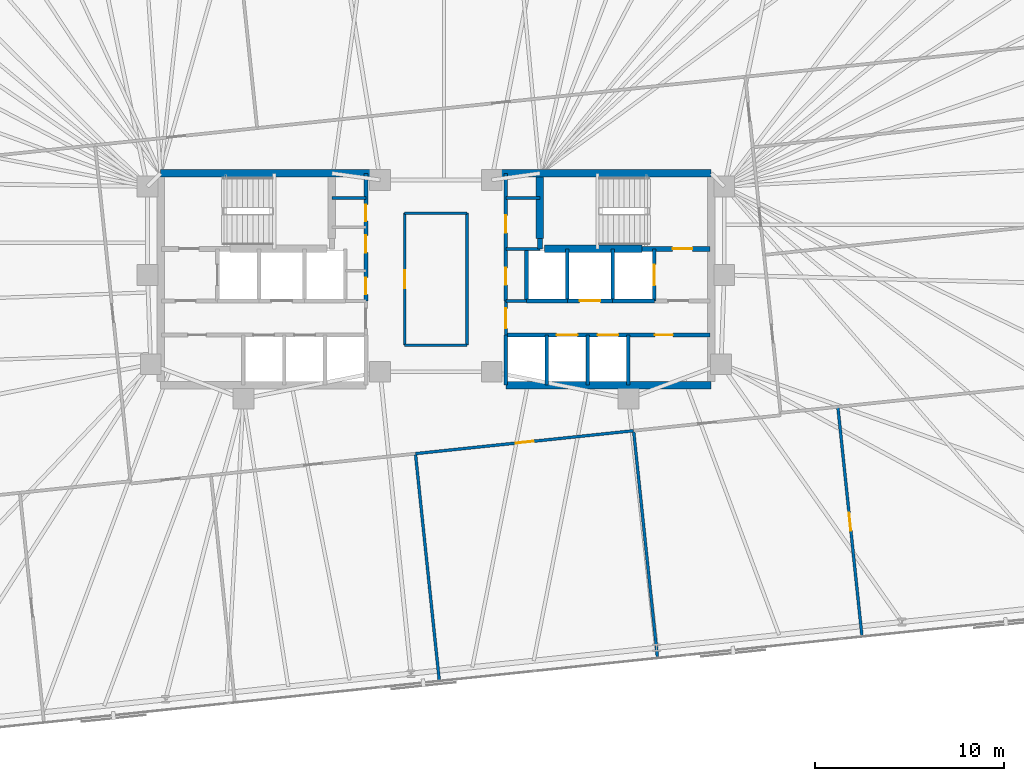
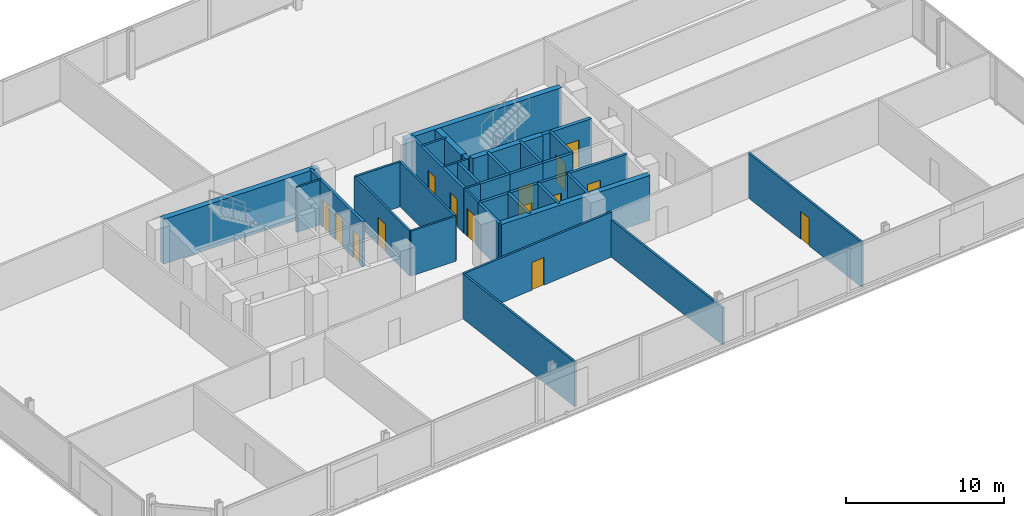
# One storey, part 15 of 18: 34 walls, 15 doors, 15 openings.
"""IFC4 building model written with IfcOpenShell, lengths in metres."""

from ifc_helpers import new_model, si_unit, direction, frame, frame_2d, origin, place, context, subcontext, project, spatial, rectangle, extrude, material, layer, layer_set, type_object, element, fill, save


model = new_model("IFC4")

# Units and contexts
model_context = context("Model", 3, precision=1e-05, world=origin(), true_north=direction((0.0, 1.0)))
body_context = subcontext(model_context, "Body", "Model", "MODEL_VIEW")
ifc_project = project(units=[si_unit("LENGTHUNIT", "METRE"), si_unit("AREAUNIT", "SQUARE_METRE"), si_unit("VOLUMEUNIT", "CUBIC_METRE"), si_unit("PLANEANGLEUNIT", "RADIAN"), si_unit("MASSUNIT", "GRAM", prefix="KILO")], contexts=[model_context])

# Site, building, storey
site_placement = place(None, origin())
site = spatial("IfcSite", under=ifc_project, at=site_placement, CompositionType="ELEMENT")
building_placement = place(site_placement, origin())
building = spatial("IfcBuilding", under=site, at=building_placement, Name="Menara Jurai Vektor", CompositionType="ELEMENT")
storey_placement = place(building_placement, frame((0.0, 0.0, 102.199951171875)))
storey = spatial("IfcBuildingStorey", under=building, at=storey_placement, Name="L25", CompositionType="ELEMENT", Elevation=102.199951171875)

# Wall, opening, door
ifc_material_1 = material(Name="Concrete C40/50", Category="concrete")
ifc_layer_1 = layer(ifc_material_1, 0.25)
ifc_layer_set_1 = layer_set([ifc_layer_1], Name="Concrete C40/50")
wall_type_1 = type_object("IfcWallType", Name="INT-WALL-CORE-250", PredefinedType="STANDARD", material=ifc_layer_set_1)
wall_1_placement = place(storey_placement, frame((10.89990234375, 1.60009765625, 0.0), z_axis=(0.0, 0.0, 1.0), x_axis=(1.0, 0.0, 0.0)))
wall_1 = element("IfcWall", 1, at=wall_1_placement, inside=storey, type_object=wall_type_1, Name="Interior Wall IW-250 L25", PredefinedType="STANDARD", context=body_context, shape_type="SweptSolid", body=[
    extrude(rectangle(XDim=3.60009765625, YDim=0.25, at=frame_2d((1.800048828125, 0.0))), origin(), (0.0, 0.0, 1.0), 3.47509765625),
])
opening_1_placement = place(wall_1_placement, frame((1.6201171875, 0.0, 0.0)))
opening_1 = element("IfcOpeningElement", 2, at=opening_1_placement, cuts=wall_1, Name="Opening D-L25-ST2", PredefinedType="OPENING", context=body_context, shape_type="SweptSolid", body=[
    extrude(rectangle(XDim=1.050048828125, YDim=2.14990234375, at=frame_2d((0.52490234375, 1.074951171875))), frame((0.0, 0.135009765625, 0.0), z_axis=(0.0, -1.0, 0.0), x_axis=(1.0, 0.0, 0.0)), (0.0, 0.0, 1.0), 0.27001953125),
])
ifc_material_2 = material(Name="Fire-Rated Steel Door", Category="steel")
door_type_1 = type_object("IfcDoorType", Name="DR-STAIR-1050", OperationType="NOTDEFINED", PredefinedType="DOOR", material=ifc_material_2)
door_1_placement = place(opening_1_placement, origin())
door_1 = element("IfcDoor", 3, at=door_1_placement, inside=storey, type_object=door_type_1, Name="Exit Stair ST2 Door L25", OperationType="SINGLE_SWING_LEFT", OverallHeight=2.14990234375, OverallWidth=1.050048828125, PredefinedType="DOOR", context=body_context, shape_type="SweptSolid", body=[
    extrude(rectangle(XDim=1.050048828125, YDim=2.14990234375, at=frame_2d((0.52490234375, 1.074951171875))), frame((0.0, 0.02490234375, 0.0), z_axis=(0.0, -1.0, 0.0), x_axis=(1.0, 0.0, 0.0)), (0.0, 0.0, 1.0), 0.050048828125),
])
fill(opening_1, door_1)

# Wall
wall_2_placement = place(storey_placement, frame((5.5, 1.60009765625, 0.0), z_axis=(0.0, 0.0, 1.0), x_axis=(0.0, 1.0, 0.0)))
element("IfcWall", 4, at=wall_2_placement, inside=storey, type_object=wall_type_1, Name="Interior Wall IW-250 L25", PredefinedType="STANDARD", context=body_context, shape_type="SweptSolid", body=[
    extrude(rectangle(XDim=0.5498046875, YDim=0.25, at=frame_2d((0.27490234375, 0.0))), origin(), (0.0, 0.0, 1.0), 3.47509765625),
])

# Wall, opening, door
wall_3_placement = place(storey_placement, frame((11.550048828125, -1.14990234375, 0.0), z_axis=(0.0, 0.0, 1.0), x_axis=(0.0, 1.0, 0.0)))
wall_3 = element("IfcWall", 5, at=wall_3_placement, inside=storey, type_object=wall_type_1, Name="Interior Wall IW-250 L25", PredefinedType="STANDARD", context=body_context, shape_type="SweptSolid", body=[
    extrude(rectangle(XDim=2.75, YDim=0.199951171875, at=frame_2d((1.375, 0.0))), origin(), (0.0, 0.0, 1.0), 3.47509765625),
])
opening_2_placement = place(wall_3_placement, frame((0.824951171875, 0.0, 0.0)))
opening_2 = element("IfcOpeningElement", 6, at=opening_2_placement, cuts=wall_3, Name="Opening LD-L25-FL2", PredefinedType="OPENING", context=body_context, shape_type="SweptSolid", body=[
    extrude(rectangle(XDim=1.10009765625, YDim=2.14990234375, at=frame_2d((0.550048828125, 1.074951171875))), frame((0.0, 0.10986328125, 0.0), z_axis=(0.0, -1.0, 0.0), x_axis=(1.0, 0.0, 0.0)), (0.0, 0.0, 1.0), 0.219970703125),
])
ifc_material_3 = material(Name="Stainless Steel Sliding Lift Landing Door", Category="steel")
door_type_2 = type_object("IfcDoorType", Name="DR-LIFT-FIRE-1100", OperationType="NOTDEFINED", PredefinedType="DOOR", material=ifc_material_3)
door_2_placement = place(opening_2_placement, origin())
door_2 = element("IfcDoor", 7, at=door_2_placement, inside=storey, type_object=door_type_2, Name="Lift Landing Door FL2 L25", OperationType="SLIDING_TO_RIGHT", OverallHeight=2.14990234375, OverallWidth=1.10009765625, PredefinedType="DOOR", context=body_context, shape_type="SweptSolid", body=[
    extrude(rectangle(XDim=1.10009765625, YDim=2.14990234375, at=frame_2d((0.550048828125, 1.074951171875))), frame((0.0, 0.02490234375, 0.0), z_axis=(0.0, -1.0, 0.0), x_axis=(1.0, 0.0, 0.0)), (0.0, 0.0, 1.0), 0.050048828125),
])
fill(opening_2, door_2)

# Walls
wall_4_placement = place(storey_placement, frame((9.35009765625, -1.14990234375, 0.0), z_axis=(0.0, 0.0, 1.0), x_axis=(0.0, 1.0, 0.0)))
element("IfcWall", 8, at=wall_4_placement, inside=storey, type_object=wall_type_1, Name="Interior Wall IW-250 L25", PredefinedType="STANDARD", context=body_context, shape_type="SweptSolid", body=[
    extrude(rectangle(XDim=2.75, YDim=0.199951171875, at=frame_2d((1.375, 0.0))), origin(), (0.0, 0.0, 1.0), 3.47509765625),
])
wall_5_placement = place(storey_placement, frame((9.35009765625, -1.14990234375, 0.0), z_axis=(0.0, 0.0, 1.0), x_axis=(1.0, 0.0, 0.0)))
element("IfcWall", 9, at=wall_5_placement, inside=storey, type_object=wall_type_1, Name="Interior Wall IW-250 L25", PredefinedType="STANDARD", context=body_context, shape_type="SweptSolid", body=[
    extrude(rectangle(XDim=2.199951171875, YDim=0.199951171875, at=frame_2d((1.10009765625, 0.0))), origin(), (0.0, 0.0, 1.0), 3.47509765625),
])

# Wall, opening, door
ifc_material_4 = material(Name="Gypsum Fireboard Partition", Category="gypsum")
ifc_layer_2 = layer(ifc_material_4, 0.14990234375)
ifc_layer_set_2 = layer_set([ifc_layer_2], Name="Gypsum Fireboard Partition")
wall_type_2 = type_object("IfcWallType", Name="INT-WALL-CORR-150", PredefinedType="PARTITIONING", material=ifc_layer_set_2)
wall_6_placement = place(storey_placement, frame((3.699951171875, -2.949951171875, 0.0), z_axis=(0.0, 0.0, 1.0), x_axis=(0.0, 1.0, 0.0)))
wall_6 = element("IfcWall", 10, at=wall_6_placement, inside=storey, type_object=wall_type_2, Name="Interior Wall IW-150 L25", PredefinedType="PARTITIONING", context=body_context, shape_type="SweptSolid", body=[
    extrude(rectangle(XDim=1.800048828125, YDim=0.14990234375, at=frame_2d((0.89990234375, 0.0))), origin(), (0.0, 0.0, 1.0), 3.47509765625),
])
opening_3_placement = place(wall_6_placement, frame((0.35009765625, 0.0, 0.0)))
opening_3 = element("IfcOpeningElement", 11, at=opening_3_placement, cuts=wall_6, Name="Opening D-L25-LLE", PredefinedType="OPENING", context=body_context, shape_type="SweptSolid", body=[
    extrude(rectangle(XDim=1.050048828125, YDim=2.179931640625, at=frame_2d((0.52490234375, 1.08984375))), frame((0.0, 0.0849609375, 0.0), z_axis=(0.0, -1.0, 0.0), x_axis=(1.0, 0.0, 0.0)), (0.0, 0.0, 1.0), 0.169921875),
])
ifc_material_5 = material(Name="Fire-Rated Timber Door", Category="wood")
door_type_3 = type_object("IfcDoorType", Name="DR-LOBBY-1050", OperationType="NOTDEFINED", PredefinedType="DOOR", material=ifc_material_5)
door_3_placement = place(opening_3_placement, frame((1.050048828125, 0.0, 0.0), z_axis=(0.0, 0.0, 1.0), x_axis=(-1.0, 0.0, 0.0)))
door_3 = element("IfcDoor", 12, at=door_3_placement, inside=storey, type_object=door_type_3, Name="Lift Lobby Corridor Door E L25", OperationType="SINGLE_SWING_RIGHT", OverallHeight=2.179931640625, OverallWidth=1.050048828125, PredefinedType="DOOR", context=body_context, shape_type="SweptSolid", body=[
    extrude(rectangle(XDim=1.050048828125, YDim=2.179931640625, at=frame_2d((0.52490234375, 1.08984375))), frame((0.0, 0.02490234375, 0.0), z_axis=(0.0, -1.0, 0.0), x_axis=(1.0, 0.0, 0.0)), (0.0, 0.0, 1.0), 0.050048828125),
])
fill(opening_3, door_3)

# Walls
wall_7_placement = place(storey_placement, frame((3.699951171875, -1.14990234375, 0.0), z_axis=(0.0, 0.0, 1.0), x_axis=(1.0, 0.0, 0.0)))
element("IfcWall", 13, at=wall_7_placement, inside=storey, type_object=wall_type_2, Name="Interior Wall IW-150 L25", PredefinedType="PARTITIONING", context=body_context, shape_type="SweptSolid", body=[
    extrude(rectangle(XDim=1.090087890625, YDim=0.14990234375, at=frame_2d((0.544921875, 0.0))), origin(), (0.0, 0.0, 1.0), 3.47509765625),
])
for number, where, z_axis, x_axis, name in (
    (14, (-5.5, 4.300048828125, 0.0), (0.0, 0.0, 1.0), (1.0, 0.0, 0.0), "Interior Wall IW-150 L25"),
    (15, (3.699951171875, 4.300048828125, 0.0), (0.0, 0.0, 1.0), (1.0, 0.0, 0.0), "Interior Wall IW-150 L25"),
    (16, (3.699951171875, 1.60009765625, 0.0), (0.0, 0.0, 1.0), (1.0, 0.0, 0.0), "Interior Wall IW-150 L25"),
):
    element("IfcWall", number, at=place(storey_placement, frame(where, z_axis=z_axis, x_axis=x_axis)), inside=storey, type_object=wall_type_2, Name=name, PredefinedType="PARTITIONING", context=body_context, shape_type="SweptSolid", body=[
        extrude(rectangle(XDim=1.800048828125, YDim=0.14990234375, at=frame_2d((0.89990234375, 0.0))), origin(), (0.0, 0.0, 1.0), 3.47509765625),
    ])

# Wall, opening, door
wall_8_placement = place(storey_placement, frame((-1.649658203125, -3.490478515625, 0.0), z_axis=(0.0, 0.0, 1.0), x_axis=(-0.000104928124, 0.999999994495, 0.0)))
wall_8 = element("IfcWall", 17, at=wall_8_placement, inside=storey, type_object=wall_type_2, Name="Interior Wall IW-150 L25", PredefinedType="PARTITIONING", context=body_context, shape_type="SweptSolid", body=[
    extrude(rectangle(XDim=6.980224609375, YDim=0.14990234375, at=frame_2d((3.490234375, 0.0))), origin(), (0.0, 0.0, 1.0), 3.47509765625),
])
opening_4_placement = place(wall_8_placement, frame((3.01513671875, 0.0, 0.0)))
opening_4 = element("IfcOpeningElement", 18, at=opening_4_placement, cuts=wall_8, Name="Opening D25-08", PredefinedType="OPENING", context=body_context, shape_type="SweptSolid", body=[
    extrude(rectangle(XDim=0.949951171875, YDim=2.14990234375, at=frame_2d((0.47509765625, 1.074951171875))), frame((0.0, 0.0849609375, 0.0), z_axis=(0.0, -1.0, 0.0), x_axis=(1.0, 0.0, 0.0)), (0.0, 0.0, 1.0), 0.169921875),
])
ifc_material_6 = material(Name="Solid Core Timber Fire Door", Category="wood")
door_type_4 = type_object("IfcDoorType", Name="DR-ENTRY-950", OperationType="NOTDEFINED", PredefinedType="DOOR", material=ifc_material_6)
door_4_placement = place(opening_4_placement, origin())
door_4 = element("IfcDoor", 19, at=door_4_placement, inside=storey, type_object=door_type_4, Name="Interior Door D25-08", OperationType="SINGLE_SWING_LEFT", OverallHeight=2.14990234375, OverallWidth=0.949951171875, PredefinedType="DOOR", context=body_context, shape_type="SweptSolid", body=[
    extrude(rectangle(XDim=0.949951171875, YDim=2.14990234375, at=frame_2d((0.47509765625, 1.074951171875))), frame((0.0, 0.02490234375, 0.0), z_axis=(0.0, -1.0, 0.0), x_axis=(1.0, 0.0, 0.0)), (0.0, 0.0, 1.0), 0.050048828125),
])
fill(opening_4, door_4)

# Walls
wall_9_placement = place(storey_placement, frame((-1.649658203125, -3.490478515625, 0.0), z_axis=(0.0, 0.0, 1.0), x_axis=(1.0, 0.0, 0.0)))
element("IfcWall", 20, at=wall_9_placement, inside=storey, type_object=wall_type_2, Name="Interior Wall IW-150 L25", PredefinedType="PARTITIONING", context=body_context, shape_type="SweptSolid", body=[
    extrude(rectangle(XDim=3.300048828125, YDim=0.14990234375, at=frame_2d((1.64990234375, 0.0))), origin(), (0.0, 0.0, 1.0), 3.47509765625),
])
wall_10_placement = place(storey_placement, frame((-1.650390625, 3.48974609375, 0.0), z_axis=(0.0, 0.0, 1.0), x_axis=(1.0, 0.0, 0.0)))
element("IfcWall", 21, at=wall_10_placement, inside=storey, type_object=wall_type_2, Name="Interior Wall IW-150 L25", PredefinedType="PARTITIONING", context=body_context, shape_type="SweptSolid", body=[
    extrude(rectangle(XDim=3.30029296875, YDim=0.14990234375, at=frame_2d((1.650146484375, 0.0))), origin(), (0.0, 0.0, 1.0), 3.47509765625),
])
wall_11_placement = place(storey_placement, frame((1.650390625, -3.490478515625, 0.0), z_axis=(0.0, 0.0, 1.0), x_axis=(-6.9952083e-05, 0.999999997553, 0.0)))
element("IfcWall", 22, at=wall_11_placement, inside=storey, type_object=wall_type_2, Name="Interior Wall IW-150 L25", PredefinedType="PARTITIONING", context=body_context, shape_type="SweptSolid", body=[
    extrude(rectangle(XDim=6.980224609375, YDim=0.14990234375, at=frame_2d((3.490234375, 0.0))), origin(), (0.0, 0.0, 1.0), 3.47509765625),
])

# Wall, opening, door
wall_12_placement = place(storey_placement, frame((-1.0810546875, -9.226318359375, 0.0), z_axis=(0.0, 0.0, 1.0), x_axis=(0.994523198252, 0.104516066418, 0.0)))
wall_12 = element("IfcWall", 23, at=wall_12_placement, inside=storey, type_object=wall_type_2, Name="Interior Wall IW-150 L25", PredefinedType="PARTITIONING", context=body_context, shape_type="SweptSolid", body=[
    extrude(rectangle(XDim=11.60009765625, YDim=0.14990234375, at=frame_2d((5.800048828125, 0.0))), origin(), (0.0, 0.0, 1.0), 3.47509765625),
])
opening_5_placement = place(wall_12_placement, frame((5.324951171875, 0.0, 0.0)))
opening_5 = element("IfcOpeningElement", 24, at=opening_5_placement, cuts=wall_12, Name="Opening D25-13", PredefinedType="OPENING", context=body_context, shape_type="SweptSolid", body=[
    extrude(rectangle(XDim=0.949951171875, YDim=2.14990234375, at=frame_2d((0.47509765625, 1.074951171875))), frame((0.0, 0.0849609375, 0.0), z_axis=(0.0, -1.0, 0.0), x_axis=(1.0, 0.0, 0.0)), (0.0, 0.0, 1.0), 0.169921875),
])
door_5_placement = place(opening_5_placement, origin())
door_5 = element("IfcDoor", 25, at=door_5_placement, inside=storey, type_object=door_type_4, Name="Interior Door D25-13", OperationType="SINGLE_SWING_RIGHT", OverallHeight=2.14990234375, OverallWidth=0.949951171875, PredefinedType="DOOR", context=body_context, shape_type="SweptSolid", body=[
    extrude(rectangle(XDim=0.949951171875, YDim=2.14990234375, at=frame_2d((0.47509765625, 1.074951171875))), frame((0.0, 0.02490234375, 0.0), z_axis=(0.0, -1.0, 0.0), x_axis=(1.0, 0.0, 0.0)), (0.0, 0.0, 1.0), 0.050048828125),
])
fill(opening_5, door_5)

# Wall
wall_13_placement = place(storey_placement, frame((0.18310546875, -21.253173828125, 0.0), z_axis=(0.0, 0.0, 1.0), x_axis=(-0.104535555083, 0.994521149963, 0.0)))
element("IfcWall", 26, at=wall_13_placement, inside=storey, type_object=wall_type_2, Name="Interior Wall IW-150 L25", PredefinedType="PARTITIONING", context=body_context, shape_type="SweptSolid", body=[
    extrude(rectangle(XDim=12.093017578125, YDim=0.14990234375, at=frame_2d((6.04638671875, 0.0))), origin(), (0.0, 0.0, 1.0), 3.47509765625),
])

# Wall, opening, door
wall_14_placement = place(storey_placement, frame((22.534912109375, -18.90380859375, 0.0), z_axis=(0.0, 0.0, 1.0), x_axis=(-0.104520477826, 0.99452273464, 0.0)))
wall_14 = element("IfcWall", 27, at=wall_14_placement, inside=storey, type_object=wall_type_2, Name="Interior Wall IW-150 L25", PredefinedType="PARTITIONING", context=body_context, shape_type="SweptSolid", body=[
    extrude(rectangle(XDim=12.220947265625, YDim=0.14990234375, at=frame_2d((6.1103515625, 0.0))), origin(), (0.0, 0.0, 1.0), 3.47509765625),
])
opening_6_placement = place(wall_14_placement, frame((5.635498046875, 0.0, 0.0)))
opening_6 = element("IfcOpeningElement", 28, at=opening_6_placement, cuts=wall_14, Name="Opening D25-20", PredefinedType="OPENING", context=body_context, shape_type="SweptSolid", body=[
    extrude(rectangle(XDim=0.949951171875, YDim=2.14990234375, at=frame_2d((0.47509765625, 1.074951171875))), frame((0.0, 0.0849609375, 0.0), z_axis=(0.0, -1.0, 0.0), x_axis=(1.0, 0.0, 0.0)), (0.0, 0.0, 1.0), 0.169921875),
])
door_6_placement = place(opening_6_placement, origin())
door_6 = element("IfcDoor", 29, at=door_6_placement, inside=storey, type_object=door_type_4, Name="Interior Door D25-20", OperationType="SINGLE_SWING_LEFT", OverallHeight=2.14990234375, OverallWidth=0.949951171875, PredefinedType="DOOR", context=body_context, shape_type="SweptSolid", body=[
    extrude(rectangle(XDim=0.949951171875, YDim=2.14990234375, at=frame_2d((0.47509765625, 1.074951171875))), frame((0.0, 0.02490234375, 0.0), z_axis=(0.0, -1.0, 0.0), x_axis=(1.0, 0.0, 0.0)), (0.0, 0.0, 1.0), 0.050048828125),
])
fill(opening_6, door_6)

# Wall
ifc_layer_3 = layer(ifc_material_4, 0.14990234375)
ifc_layer_set_3 = layer_set([ifc_layer_3], Name="Gypsum Fireboard Partition")
wall_type_3 = type_object("IfcWallType", Name="INT-WALL-CORR-150-H2", PredefinedType="PARTITIONING", material=ifc_layer_set_3)
wall_15_placement = place(storey_placement, frame((11.719482421875, -20.04052734375, 0.0), z_axis=(0.0, 0.0, 1.0), x_axis=(-0.104517685722, 0.994523028075, 0.0)))
element("IfcWall", 30, at=wall_15_placement, inside=storey, type_object=wall_type_3, Name="Interior Wall IW-150 L25", PredefinedType="PARTITIONING", context=body_context, shape_type="SweptSolid", body=[
    extrude(rectangle(XDim=12.0927734375, YDim=0.14990234375, at=frame_2d((6.04638671875, 0.0))), origin(), (0.0, 0.0, 1.0), 2.875),
])

# Wall, openings, doors
ifc_layer_4 = layer(ifc_material_1, 0.199951171875)
ifc_layer_set_4 = layer_set([ifc_layer_4], Name="Concrete C40/50")
wall_type_4 = type_object("IfcWallType", Name="INT-WALL-SHAFT-200", PredefinedType="STANDARD", material=ifc_layer_set_4)
wall_16_placement = place(storey_placement, frame((-3.699951171875, -1.14990234375, 0.0), z_axis=(0.0, 0.0, 1.0), x_axis=(0.0, 1.0, 0.0)))
wall_16 = element("IfcWall", 31, at=wall_16_placement, inside=storey, type_object=wall_type_4, Name="Interior Wall IW-200 L25", PredefinedType="STANDARD", context=body_context, shape_type="SweptSolid", body=[
    extrude(rectangle(XDim=6.75, YDim=0.199951171875, at=frame_2d((3.375, 0.0))), origin(), (0.0, 0.0, 1.0), 3.47509765625),
])
opening_7_placement = place(wall_16_placement, frame((0.35009765625, 0.0, 0.0)))
opening_7 = element("IfcOpeningElement", 32, at=opening_7_placement, cuts=wall_16, Name="Opening D25-02", PredefinedType="OPENING", context=body_context, shape_type="SweptSolid", body=[
    extrude(rectangle(XDim=0.8798828125, YDim=2.14990234375, at=frame_2d((0.43994140625, 1.074951171875))), frame((0.0, 0.10986328125, 0.0), z_axis=(0.0, -1.0, 0.0), x_axis=(1.0, 0.0, 0.0)), (0.0, 0.0, 1.0), 0.219970703125),
])
opening_8_placement = place(wall_16_placement, frame((2.550048828125, 0.0, 0.0)))
opening_8 = element("IfcOpeningElement", 33, at=opening_8_placement, cuts=wall_16, Name="Opening D25-03", PredefinedType="OPENING", context=body_context, shape_type="SweptSolid", body=[
    extrude(rectangle(XDim=0.919921875, YDim=2.14990234375, at=frame_2d((0.4599609375, 1.074951171875))), frame((0.0, 0.10986328125, 0.0), z_axis=(0.0, -1.0, 0.0), x_axis=(1.0, 0.0, 0.0)), (0.0, 0.0, 1.0), 0.219970703125),
])
opening_9_placement = place(wall_16_placement, frame((4.219970703125, 0.0, 0.0)))
opening_9 = element("IfcOpeningElement", 34, at=opening_9_placement, cuts=wall_16, Name="Opening D25-04", PredefinedType="OPENING", context=body_context, shape_type="SweptSolid", body=[
    extrude(rectangle(XDim=0.8798828125, YDim=2.14990234375, at=frame_2d((0.43994140625, 1.074951171875))), frame((0.0, 0.10986328125, 0.0), z_axis=(0.0, -1.0, 0.0), x_axis=(1.0, 0.0, 0.0)), (0.0, 0.0, 1.0), 0.219970703125),
])
door_7_placement = place(opening_7_placement, origin())
door_7 = element("IfcDoor", 35, at=door_7_placement, inside=storey, type_object=door_type_4, Name="Interior Door D25-02", OperationType="SINGLE_SWING_LEFT", OverallHeight=2.14990234375, OverallWidth=0.8798828125, PredefinedType="DOOR", context=body_context, shape_type="SweptSolid", body=[
    extrude(rectangle(XDim=0.8798828125, YDim=2.14990234375, at=frame_2d((0.43994140625, 1.074951171875))), frame((0.0, 0.02490234375, 0.0), z_axis=(0.0, -1.0, 0.0), x_axis=(1.0, 0.0, 0.0)), (0.0, 0.0, 1.0), 0.050048828125),
])
fill(opening_7, door_7)
door_8_placement = place(opening_8_placement, origin())
door_8 = element("IfcDoor", 36, at=door_8_placement, inside=storey, type_object=door_type_4, Name="Interior Door D25-03", OperationType="SINGLE_SWING_LEFT", OverallHeight=2.14990234375, OverallWidth=0.919921875, PredefinedType="DOOR", context=body_context, shape_type="SweptSolid", body=[
    extrude(rectangle(XDim=0.919921875, YDim=2.14990234375, at=frame_2d((0.4599609375, 1.074951171875))), frame((0.0, 0.02490234375, 0.0), z_axis=(0.0, -1.0, 0.0), x_axis=(1.0, 0.0, 0.0)), (0.0, 0.0, 1.0), 0.050048828125),
])
fill(opening_8, door_8)
door_9_placement = place(opening_9_placement, origin())
door_9 = element("IfcDoor", 37, at=door_9_placement, inside=storey, type_object=door_type_4, Name="Interior Door D25-04", OperationType="SINGLE_SWING_LEFT", OverallHeight=2.14990234375, OverallWidth=0.8798828125, PredefinedType="DOOR", context=body_context, shape_type="SweptSolid", body=[
    extrude(rectangle(XDim=0.8798828125, YDim=2.14990234375, at=frame_2d((0.43994140625, 1.074951171875))), frame((0.0, 0.02490234375, 0.0), z_axis=(0.0, -1.0, 0.0), x_axis=(1.0, 0.0, 0.0)), (0.0, 0.0, 1.0), 0.050048828125),
])
fill(opening_9, door_9)

wall_17_placement = place(storey_placement, frame((3.699951171875, -1.14990234375, 0.0), z_axis=(0.0, 0.0, 1.0), x_axis=(0.0, 1.0, 0.0)))
wall_17 = element("IfcWall", 38, at=wall_17_placement, inside=storey, type_object=wall_type_4, Name="Interior Wall IW-200 L25", PredefinedType="STANDARD", context=body_context, shape_type="SweptSolid", body=[
    extrude(rectangle(XDim=6.75, YDim=0.199951171875, at=frame_2d((3.375, 0.0))), origin(), (0.0, 0.0, 1.0), 3.47509765625),
])
opening_10_placement = place(wall_17_placement, frame((3.60009765625, 0.0, 0.0)))
opening_10 = element("IfcOpeningElement", 39, at=opening_10_placement, cuts=wall_17, Name="Opening D25-06", PredefinedType="OPENING", context=body_context, shape_type="SweptSolid", body=[
    extrude(rectangle(XDim=0.919921875, YDim=2.14990234375, at=frame_2d((0.4599609375, 1.074951171875))), frame((0.0, 0.10986328125, 0.0), z_axis=(0.0, -1.0, 0.0), x_axis=(1.0, 0.0, 0.0)), (0.0, 0.0, 1.0), 0.219970703125),
])
opening_11_placement = place(wall_17_placement, frame((0.85009765625, 0.0, 0.0)))
opening_11 = element("IfcOpeningElement", 40, at=opening_11_placement, cuts=wall_17, Name="Opening D25-07", PredefinedType="OPENING", context=body_context, shape_type="SweptSolid", body=[
    extrude(rectangle(XDim=0.89990234375, YDim=2.14990234375, at=frame_2d((0.449951171875, 1.074951171875))), frame((0.0, 0.10986328125, 0.0), z_axis=(0.0, -1.0, 0.0), x_axis=(1.0, 0.0, 0.0)), (0.0, 0.0, 1.0), 0.219970703125),
])
door_10_placement = place(opening_10_placement, origin())
door_10 = element("IfcDoor", 41, at=door_10_placement, inside=storey, type_object=door_type_4, Name="Interior Door D25-06", OperationType="SINGLE_SWING_RIGHT", OverallHeight=2.14990234375, OverallWidth=0.919921875, PredefinedType="DOOR", context=body_context, shape_type="SweptSolid", body=[
    extrude(rectangle(XDim=0.919921875, YDim=2.14990234375, at=frame_2d((0.4599609375, 1.074951171875))), frame((0.0, 0.02490234375, 0.0), z_axis=(0.0, -1.0, 0.0), x_axis=(1.0, 0.0, 0.0)), (0.0, 0.0, 1.0), 0.050048828125),
])
fill(opening_10, door_10)
door_11_placement = place(opening_11_placement, origin())
door_11 = element("IfcDoor", 42, at=door_11_placement, inside=storey, type_object=door_type_4, Name="Interior Door D25-07", OperationType="SINGLE_SWING_RIGHT", OverallHeight=2.14990234375, OverallWidth=0.89990234375, PredefinedType="DOOR", context=body_context, shape_type="SweptSolid", body=[
    extrude(rectangle(XDim=0.89990234375, YDim=2.14990234375, at=frame_2d((0.449951171875, 1.074951171875))), frame((0.0, 0.02490234375, 0.0), z_axis=(0.0, -1.0, 0.0), x_axis=(1.0, 0.0, 0.0)), (0.0, 0.0, 1.0), 0.050048828125),
])
fill(opening_11, door_11)

# Walls
wall_18_placement = place(storey_placement, frame((3.699951171875, -5.60009765625, 0.0), z_axis=(0.0, 0.0, 1.0), x_axis=(0.0, 1.0, 0.0)))
element("IfcWall", 43, at=wall_18_placement, inside=storey, type_object=wall_type_4, Name="Interior Wall IW-200 L25", PredefinedType="STANDARD", context=body_context, shape_type="SweptSolid", body=[
    extrude(rectangle(XDim=2.650146484375, YDim=0.199951171875, at=frame_2d((1.3251953125, 0.0))), origin(), (0.0, 0.0, 1.0), 3.47509765625),
])
wall_19_placement = place(storey_placement, frame((6.949951171875, -1.14990234375, 0.0), z_axis=(0.0, 0.0, 1.0), x_axis=(0.0, 1.0, 0.0)))
element("IfcWall", 44, at=wall_19_placement, inside=storey, type_object=wall_type_4, Name="Interior Wall IW-200 L25", PredefinedType="STANDARD", context=body_context, shape_type="SweptSolid", body=[
    extrude(rectangle(XDim=2.75, YDim=0.199951171875, at=frame_2d((1.375, 0.0))), origin(), (0.0, 0.0, 1.0), 3.47509765625),
])

# Wall, opening, door
wall_20_placement = place(storey_placement, frame((6.949951171875, -1.14990234375, 0.0), z_axis=(0.0, 0.0, 1.0), x_axis=(1.0, 0.0, 0.0)))
wall_20 = element("IfcWall", 45, at=wall_20_placement, inside=storey, type_object=wall_type_4, Name="Interior Wall IW-200 L25", PredefinedType="STANDARD", context=body_context, shape_type="SweptSolid", body=[
    extrude(rectangle(XDim=2.400146484375, YDim=0.199951171875, at=frame_2d((1.2001953125, 0.0))), origin(), (0.0, 0.0, 1.0), 3.47509765625),
])
opening_12_placement = place(wall_20_placement, frame((0.64990234375, 0.0, 0.0)))
opening_12 = element("IfcOpeningElement", 46, at=opening_12_placement, cuts=wall_20, Name="Opening LD-L25-SVL2", PredefinedType="OPENING", context=body_context, shape_type="SweptSolid", body=[
    extrude(rectangle(XDim=1.10009765625, YDim=2.14990234375, at=frame_2d((0.550048828125, 1.074951171875))), frame((0.0, 0.10986328125, 0.0), z_axis=(0.0, -1.0, 0.0), x_axis=(1.0, 0.0, 0.0)), (0.0, 0.0, 1.0), 0.219970703125),
])
ifc_material_7 = material(Name="Anodised Stainless Sliding Lift Landing Door", Category="steel")
door_type_5 = type_object("IfcDoorType", Name="DR-LIFT-PASS-1100", OperationType="NOTDEFINED", PredefinedType="DOOR", material=ifc_material_7)
door_12_placement = place(opening_12_placement, origin())
door_12 = element("IfcDoor", 47, at=door_12_placement, inside=storey, type_object=door_type_5, Name="Lift Landing Door SVL2 L25", OperationType="SLIDING_TO_RIGHT", OverallHeight=2.14990234375, OverallWidth=1.10009765625, PredefinedType="DOOR", context=body_context, shape_type="SweptSolid", body=[
    extrude(rectangle(XDim=1.10009765625, YDim=2.14990234375, at=frame_2d((0.550048828125, 1.074951171875))), frame((0.0, 0.02490234375, 0.0), z_axis=(0.0, -1.0, 0.0), x_axis=(1.0, 0.0, 0.0)), (0.0, 0.0, 1.0), 0.050048828125),
])
fill(opening_12, door_12)

# Walls
wall_21_placement = place(storey_placement, frame((4.7900390625, -1.14990234375, 0.0), z_axis=(0.0, 0.0, 1.0), x_axis=(0.0, 1.0, 0.0)))
element("IfcWall", 48, at=wall_21_placement, inside=storey, type_object=wall_type_4, Name="Interior Wall IW-200 L25", PredefinedType="STANDARD", context=body_context, shape_type="SweptSolid", body=[
    extrude(rectangle(XDim=2.75, YDim=0.199951171875, at=frame_2d((1.375, 0.0))), origin(), (0.0, 0.0, 1.0), 3.47509765625),
])
wall_22_placement = place(storey_placement, frame((4.7900390625, -1.14990234375, 0.0), z_axis=(0.0, 0.0, 1.0), x_axis=(1.0, 0.0, 0.0)))
element("IfcWall", 49, at=wall_22_placement, inside=storey, type_object=wall_type_4, Name="Interior Wall IW-200 L25", PredefinedType="STANDARD", context=body_context, shape_type="SweptSolid", body=[
    extrude(rectangle(XDim=2.159912109375, YDim=0.199951171875, at=frame_2d((1.080078125, 0.0))), origin(), (0.0, 0.0, 1.0), 3.47509765625),
])

# Wall, openings, doors
wall_23_placement = place(storey_placement, frame((3.699951171875, -2.949951171875, 0.0), z_axis=(0.0, 0.0, 1.0), x_axis=(1.0, 0.0, 0.0)))
wall_23 = element("IfcWall", 50, at=wall_23_placement, inside=storey, type_object=wall_type_4, Name="Interior Wall IW-200 L25", PredefinedType="STANDARD", context=body_context, shape_type="SweptSolid", body=[
    extrude(rectangle(XDim=10.800048828125, YDim=0.199951171875, at=frame_2d((5.39990234375, 0.0))), origin(), (0.0, 0.0, 1.0), 3.47509765625),
])
opening_13_placement = place(wall_23_placement, frame((2.68994140625, 0.0, 0.0)))
opening_13 = element("IfcOpeningElement", 51, at=opening_13_placement, cuts=wall_23, Name="Opening LD-L25-PM3", PredefinedType="OPENING", context=body_context, shape_type="SweptSolid", body=[
    extrude(rectangle(XDim=1.10009765625, YDim=2.14990234375, at=frame_2d((0.550048828125, 1.074951171875))), frame((0.0, 0.10986328125, 0.0), z_axis=(0.0, -1.0, 0.0), x_axis=(1.0, 0.0, 0.0)), (0.0, 0.0, 1.0), 0.219970703125),
])
opening_14_placement = place(wall_23_placement, frame((4.85009765625, 0.0, 0.0)))
opening_14 = element("IfcOpeningElement", 52, at=opening_14_placement, cuts=wall_23, Name="Opening LD-L25-PM4", PredefinedType="OPENING", context=body_context, shape_type="SweptSolid", body=[
    extrude(rectangle(XDim=1.10009765625, YDim=2.14990234375, at=frame_2d((0.550048828125, 1.074951171875))), frame((0.0, 0.10986328125, 0.0), z_axis=(0.0, -1.0, 0.0), x_axis=(1.0, 0.0, 0.0)), (0.0, 0.0, 1.0), 0.219970703125),
])
opening_15_placement = place(wall_23_placement, frame((7.8798828125, 0.0, 0.0)))
opening_15 = element("IfcOpeningElement", 53, at=opening_15_placement, cuts=wall_23, Name="Opening D25-05", PredefinedType="OPENING", context=body_context, shape_type="SweptSolid", body=[
    extrude(rectangle(XDim=0.949951171875, YDim=2.14990234375, at=frame_2d((0.47509765625, 1.074951171875))), frame((0.0, 0.10986328125, 0.0), z_axis=(0.0, -1.0, 0.0), x_axis=(1.0, 0.0, 0.0)), (0.0, 0.0, 1.0), 0.219970703125),
])
door_13_placement = place(opening_15_placement, origin())
door_13 = element("IfcDoor", 54, at=door_13_placement, inside=storey, type_object=door_type_4, Name="Interior Door D25-05", OperationType="SINGLE_SWING_LEFT", OverallHeight=2.14990234375, OverallWidth=0.949951171875, PredefinedType="DOOR", context=body_context, shape_type="SweptSolid", body=[
    extrude(rectangle(XDim=0.949951171875, YDim=2.14990234375, at=frame_2d((0.47509765625, 1.074951171875))), frame((0.0, 0.02490234375, 0.0), z_axis=(0.0, -1.0, 0.0), x_axis=(1.0, 0.0, 0.0)), (0.0, 0.0, 1.0), 0.050048828125),
])
fill(opening_15, door_13)
door_14_placement = place(opening_13_placement, origin())
door_14 = element("IfcDoor", 55, at=door_14_placement, inside=storey, type_object=door_type_5, Name="Lift Landing Door PM3 L25", OperationType="SLIDING_TO_LEFT", OverallHeight=2.14990234375, OverallWidth=1.10009765625, PredefinedType="DOOR", context=body_context, shape_type="SweptSolid", body=[
    extrude(rectangle(XDim=1.10009765625, YDim=2.14990234375, at=frame_2d((0.550048828125, 1.074951171875))), frame((0.0, 0.02490234375, 0.0), z_axis=(0.0, -1.0, 0.0), x_axis=(1.0, 0.0, 0.0)), (0.0, 0.0, 1.0), 0.050048828125),
])
fill(opening_13, door_14)
door_15_placement = place(opening_14_placement, origin())
door_15 = element("IfcDoor", 56, at=door_15_placement, inside=storey, type_object=door_type_5, Name="Lift Landing Door PM4 L25", OperationType="SLIDING_TO_RIGHT", OverallHeight=2.14990234375, OverallWidth=1.10009765625, PredefinedType="DOOR", context=body_context, shape_type="SweptSolid", body=[
    extrude(rectangle(XDim=1.10009765625, YDim=2.14990234375, at=frame_2d((0.550048828125, 1.074951171875))), frame((0.0, 0.02490234375, 0.0), z_axis=(0.0, -1.0, 0.0), x_axis=(1.0, 0.0, 0.0)), (0.0, 0.0, 1.0), 0.050048828125),
])
fill(opening_14, door_15)

# Walls
wall_24_placement = place(storey_placement, frame((5.860107421875, -5.60009765625, 0.0), z_axis=(0.0, 0.0, 1.0), x_axis=(0.0, 1.0, 0.0)))
element("IfcWall", 57, at=wall_24_placement, inside=storey, type_object=wall_type_4, Name="Interior Wall IW-200 L25", PredefinedType="STANDARD", context=body_context, shape_type="SweptSolid", body=[
    extrude(rectangle(XDim=2.650146484375, YDim=0.199951171875, at=frame_2d((1.3251953125, 0.0))), origin(), (0.0, 0.0, 1.0), 3.47509765625),
])
for number, where, z_axis, x_axis, name in (
    (58, (10.179931640625, -5.60009765625, 0.0), (0.0, 0.0, 1.0), (0.0, 1.0, 0.0), "Interior Wall IW-200 L25"),
    (59, (8.02001953125, -5.60009765625, 0.0), (0.0, 0.0, 1.0), (0.0, 1.0, 0.0), "Interior Wall IW-200 L25"),
):
    element("IfcWall", number, at=place(storey_placement, frame(where, z_axis=z_axis, x_axis=x_axis)), inside=storey, type_object=wall_type_4, Name=name, PredefinedType="STANDARD", context=body_context, shape_type="SweptSolid", body=[
        extrude(rectangle(XDim=2.650146484375, YDim=0.179931640625, at=frame_2d((1.3251953125, 0.0))), origin(), (0.0, 0.0, 1.0), 3.47509765625),
    ])
ifc_material_8 = material(Name="Concrete C50/60", Category="concrete")
ifc_layer_5 = layer(ifc_material_8, 0.39990234375)
ifc_layer_set_5 = layer_set([ifc_layer_5], Name="Concrete C50/60")
wall_type_5 = type_object("IfcWallType", Name="STR-WALL-CORE400", PredefinedType="SHEAR", material=ifc_layer_set_5)
for number, where, z_axis, x_axis, name in (
    (60, (-14.56005859375, 5.60009765625, 0.0), (0.0, 0.0, 1.0), (1.0, 0.0, 0.0), "Core Shear Wall CW-W-N L25"),
    (61, (3.14990234375, 5.60009765625, 0.0), (0.0, 0.0, 1.0), (1.0, 0.0, 0.0), "Core Shear Wall CW-E-N L25"),
):
    element("IfcWall", number, at=place(storey_placement, frame(where, z_axis=z_axis, x_axis=x_axis)), inside=storey, type_object=wall_type_5, Name=name, PredefinedType="SHEAR", context=body_context, shape_type="SweptSolid", body=[
        extrude(rectangle(XDim=11.41015625, YDim=0.39990234375, at=frame_2d((5.705078125, 0.0))), origin(), (0.0, 0.0, 1.0), 3.47509765625),
    ])
wall_25_placement = place(storey_placement, frame((3.699951171875, -5.60009765625, 0.0), z_axis=(0.0, 0.0, 1.0), x_axis=(1.0, 0.0, 0.0)))
element("IfcWall", 62, at=wall_25_placement, inside=storey, type_object=wall_type_5, Name="Core Shear Wall CW-E-S L25", PredefinedType="SHEAR", context=body_context, shape_type="SweptSolid", body=[
    extrude(rectangle(XDim=10.860107421875, YDim=0.39990234375, at=frame_2d((5.43017578125, 0.0))), origin(), (0.0, 0.0, 1.0), 3.47509765625),
])
wall_26_placement = place(storey_placement, frame((5.5, 2.14990234375, 0.0), z_axis=(0.0, 0.0, 1.0), x_axis=(0.0, 1.0, 0.0)))
element("IfcWall", 63, at=wall_26_placement, inside=storey, type_object=wall_type_5, Name="Core Shear Wall CW-E-ST L25", PredefinedType="SHEAR", context=body_context, shape_type="SweptSolid", body=[
    extrude(rectangle(XDim=3.25, YDim=0.39990234375, at=frame_2d((1.625, 0.0))), origin(), (0.0, 0.0, 1.0), 3.47509765625),
])
wall_27_placement = place(storey_placement, frame((5.75, 1.60009765625, 0.0), z_axis=(0.0, 0.0, 1.0), x_axis=(1.0, 0.0, 0.0)))
element("IfcWall", 64, at=wall_27_placement, inside=storey, type_object=wall_type_5, Name="Core Shear Wall CW-E-STS L25", PredefinedType="SHEAR", context=body_context, shape_type="SweptSolid", body=[
    extrude(rectangle(XDim=5.14990234375, YDim=0.39990234375, at=frame_2d((2.574951171875, 0.0))), origin(), (0.0, 0.0, 1.0), 3.47509765625),
])

save(model, "model.ifc")
